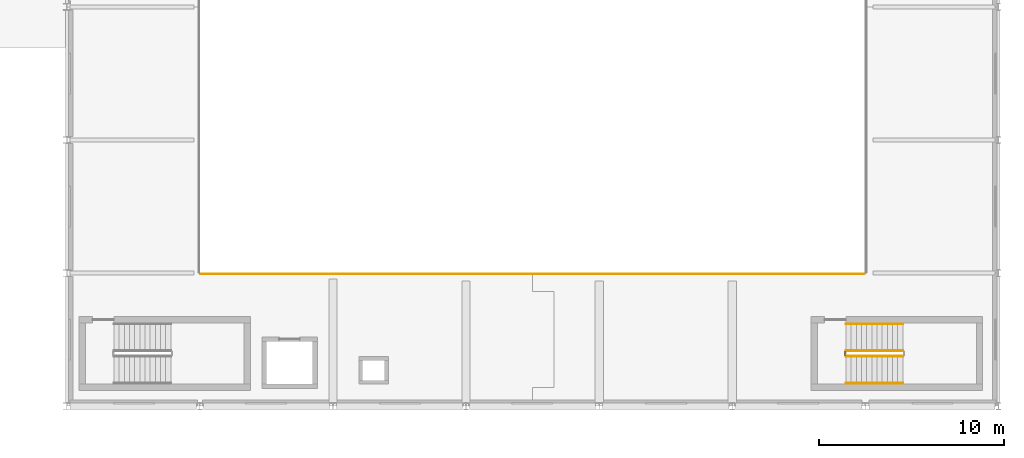
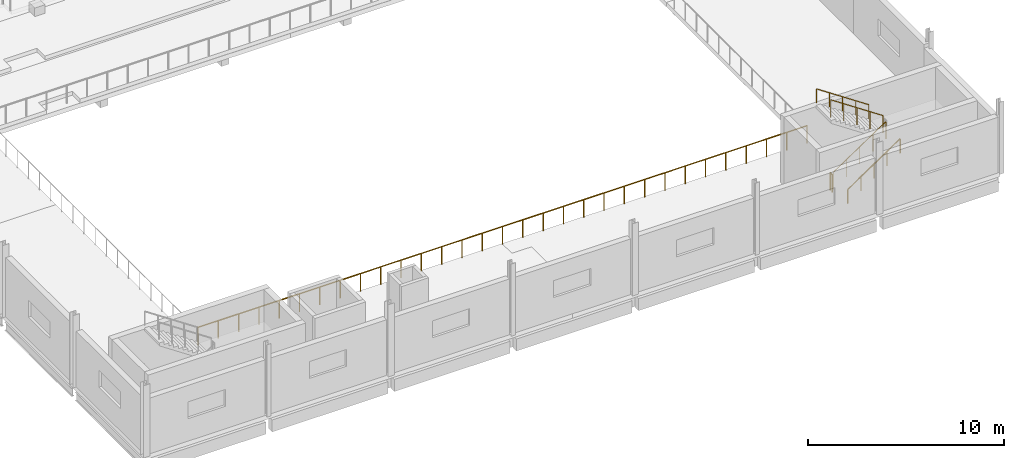
# One storey, part 119 of 123: 6 railings.
"""IFC4 building model written with IfcOpenShell, lengths in metres."""

from ifc_helpers import new_model, si_unit, direction, frame, origin, origin_2d, place, context, subcontext, project, spatial, circle, extrude, material, type_object, element, save


model = new_model("IFC4")

# Units and contexts
model_context = context("Model", 3, precision=1e-05, world=origin(), true_north=direction((0.0, 1.0)))
body_context = subcontext(model_context, "Body", "Model", "MODEL_VIEW")
ifc_project = project(units=[si_unit("LENGTHUNIT", "METRE"), si_unit("AREAUNIT", "SQUARE_METRE"), si_unit("VOLUMEUNIT", "CUBIC_METRE"), si_unit("PLANEANGLEUNIT", "RADIAN"), si_unit("MASSUNIT", "GRAM", prefix="KILO")], contexts=[model_context])

# Site, building, storey
site_placement = place(None, origin())
site = spatial("IfcSite", under=ifc_project, at=site_placement, CompositionType="ELEMENT")
building_placement = place(site_placement, origin())
building = spatial("IfcBuilding", under=site, at=building_placement, Name="Kalmorath City Hall", CompositionType="ELEMENT")
storey_placement = place(building_placement, frame((0.0, 0.0, 10.199951171875)))
storey = spatial("IfcBuildingStorey", under=building, at=storey_placement, Name="L02", CompositionType="ELEMENT", Elevation=10.199951171875)

# Railings
ifc_material_1 = material(Name="Stainless steel and laminated glass", Category="steel")
railing_type_1 = type_object("IfcRailingType", Name="Atrium and gallery crowd guardrail 1120", PredefinedType="GUARDRAIL", material=ifc_material_1)
railing_1_placement = place(storey_placement, frame((122.449951171875, 7.14990234375, 0.0)))
element("IfcRailing", 1, at=railing_1_placement, inside=storey, type_object=railing_type_1, Name="L02 indoor void guardrail #19", PredefinedType="GUARDRAIL", context=body_context, shape_type="SweptSolid", body=[
    extrude(circle(Radius=0.02392578125, at=origin_2d()), frame((0.0, 0.0, 1.09619140625), z_axis=(1.0, 0.0, 0.0), x_axis=(0.0, 1.0, 0.0)), (0.0, 0.0, 1.0), 35.900146484375),
    extrude(circle(Radius=0.02099609375, at=origin_2d()), origin(), (0.0, 0.0, 1.0), 1.072021484375),
    extrude(circle(Radius=0.02099609375, at=origin_2d()), frame((1.19677734375, 0.0, 0.0)), (0.0, 0.0, 1.0), 1.072021484375),
    extrude(circle(Radius=0.02099609375, at=origin_2d()), frame((2.393310546875, 0.0, 0.0)), (0.0, 0.0, 1.0), 1.072021484375),
    extrude(circle(Radius=0.02099609375, at=origin_2d()), frame((3.590087890625, 0.0, 0.0)), (0.0, 0.0, 1.0), 1.072021484375),
    extrude(circle(Radius=0.02099609375, at=origin_2d()), frame((4.78662109375, 0.0, 0.0)), (0.0, 0.0, 1.0), 1.072021484375),
    extrude(circle(Radius=0.02099609375, at=origin_2d()), frame((5.9833984375, 0.0, 0.0)), (0.0, 0.0, 1.0), 1.072021484375),
    extrude(circle(Radius=0.02099609375, at=origin_2d()), frame((7.179931640625, 0.0, 0.0)), (0.0, 0.0, 1.0), 1.072021484375),
    extrude(circle(Radius=0.02099609375, at=origin_2d()), frame((8.376708984375, 0.0, 0.0)), (0.0, 0.0, 1.0), 1.072021484375),
    extrude(circle(Radius=0.02099609375, at=origin_2d()), frame((9.573486328125, 0.0, 0.0)), (0.0, 0.0, 1.0), 1.072021484375),
    extrude(circle(Radius=0.02099609375, at=origin_2d()), frame((10.77001953125, 0.0, 0.0)), (0.0, 0.0, 1.0), 1.072021484375),
    extrude(circle(Radius=0.02099609375, at=origin_2d()), frame((11.966796875, 0.0, 0.0)), (0.0, 0.0, 1.0), 1.072021484375),
    extrude(circle(Radius=0.02099609375, at=origin_2d()), frame((13.163330078125, 0.0, 0.0)), (0.0, 0.0, 1.0), 1.072021484375),
    extrude(circle(Radius=0.02099609375, at=origin_2d()), frame((14.360107421875, 0.0, 0.0)), (0.0, 0.0, 1.0), 1.072021484375),
    extrude(circle(Radius=0.02099609375, at=origin_2d()), frame((15.556640625, 0.0, 0.0)), (0.0, 0.0, 1.0), 1.072021484375),
    extrude(circle(Radius=0.02099609375, at=origin_2d()), frame((16.75341796875, 0.0, 0.0)), (0.0, 0.0, 1.0), 1.072021484375),
    extrude(circle(Radius=0.02099609375, at=origin_2d()), frame((17.9501953125, 0.0, 0.0)), (0.0, 0.0, 1.0), 1.072021484375),
    extrude(circle(Radius=0.02099609375, at=origin_2d()), frame((19.146728515625, 0.0, 0.0)), (0.0, 0.0, 1.0), 1.072021484375),
    extrude(circle(Radius=0.02099609375, at=origin_2d()), frame((20.343505859375, 0.0, 0.0)), (0.0, 0.0, 1.0), 1.072021484375),
    extrude(circle(Radius=0.02099609375, at=origin_2d()), frame((21.5400390625, 0.0, 0.0)), (0.0, 0.0, 1.0), 1.072021484375),
    extrude(circle(Radius=0.02099609375, at=origin_2d()), frame((22.73681640625, 0.0, 0.0)), (0.0, 0.0, 1.0), 1.072021484375),
    extrude(circle(Radius=0.02099609375, at=origin_2d()), frame((23.933349609375, 0.0, 0.0)), (0.0, 0.0, 1.0), 1.072021484375),
    extrude(circle(Radius=0.02099609375, at=origin_2d()), frame((25.130126953125, 0.0, 0.0)), (0.0, 0.0, 1.0), 1.072021484375),
    extrude(circle(Radius=0.02099609375, at=origin_2d()), frame((26.32666015625, 0.0, 0.0)), (0.0, 0.0, 1.0), 1.072021484375),
    extrude(circle(Radius=0.02099609375, at=origin_2d()), frame((27.5234375, 0.0, 0.0)), (0.0, 0.0, 1.0), 1.072021484375),
    extrude(circle(Radius=0.02099609375, at=origin_2d()), frame((28.72021484375, 0.0, 0.0)), (0.0, 0.0, 1.0), 1.072021484375),
    extrude(circle(Radius=0.02099609375, at=origin_2d()), frame((29.916748046875, 0.0, 0.0)), (0.0, 0.0, 1.0), 1.072021484375),
    extrude(circle(Radius=0.02099609375, at=origin_2d()), frame((31.113525390625, 0.0, 0.0)), (0.0, 0.0, 1.0), 1.072021484375),
    extrude(circle(Radius=0.02099609375, at=origin_2d()), frame((32.31005859375, 0.0, 0.0)), (0.0, 0.0, 1.0), 1.072021484375),
    extrude(circle(Radius=0.02099609375, at=origin_2d()), frame((33.5068359375, 0.0, 0.0)), (0.0, 0.0, 1.0), 1.072021484375),
    extrude(circle(Radius=0.02099609375, at=origin_2d()), frame((34.703369140625, 0.0, 0.0)), (0.0, 0.0, 1.0), 1.072021484375),
    extrude(circle(Radius=0.02099609375, at=origin_2d()), frame((35.900146484375, 0.0, 0.0)), (0.0, 0.0, 1.0), 1.072021484375),
])
ifc_material_2 = material(Name="Painted steel guardrail", Category="steel")
railing_type_2 = type_object("IfcRailingType", Name="Protected stair guardrail 1100", PredefinedType="GUARDRAIL", material=ifc_material_2)
railing_2_placement = place(storey_placement, frame((157.35009765625, 2.699951171875, 0.1875)))
element("IfcRailing", 2, at=railing_2_placement, inside=storey, type_object=railing_type_2, Name="L02 ST-7 stair guard 1", PredefinedType="GUARDRAIL", context=body_context, shape_type="SweptSolid", body=[
    extrude(circle(Radius=0.02392578125, at=origin_2d()), frame((0.0, 0.0, 1.076171875), z_axis=(0.830893310487, 0.0, 0.556431762742), x_axis=(0.0, 1.0, 0.0)), (0.0, 0.0, 1.0), 3.70654296875),
    extrude(circle(Radius=0.02099609375, at=origin_2d()), origin(), (0.0, 0.0, 1.0), 1.052001953125),
    extrude(circle(Radius=0.02099609375, at=origin_2d()), frame((0.77001953125, 0.0, 0.515625)), (0.0, 0.0, 1.0), 1.052001953125),
    extrude(circle(Radius=0.02099609375, at=origin_2d()), frame((1.5400390625, 0.0, 1.03125)), (0.0, 0.0, 1.0), 1.052001953125),
    extrude(circle(Radius=0.02099609375, at=origin_2d()), frame((2.309814453125, 0.0, 1.546875)), (0.0, 0.0, 1.0), 1.052001953125),
    extrude(circle(Radius=0.02099609375, at=origin_2d()), frame((3.079833984375, 0.0, 2.0625)), (0.0, 0.0, 1.0), 1.052001953125),
])
railing_3_placement = place(storey_placement, frame((160.429931640625, 3.0, 2.4375)))
element("IfcRailing", 3, at=railing_3_placement, inside=storey, type_object=railing_type_2, Name="L02 ST-7 stair guard 3", PredefinedType="GUARDRAIL", context=body_context, shape_type="SweptSolid", body=[
    extrude(circle(Radius=0.02392578125, at=origin_2d()), frame((0.0, 0.0, 1.076171875), z_axis=(-0.830893310487, 0.0, 0.556431762742), x_axis=(0.0, -1.0, 0.0)), (0.0, 0.0, 1.0), 3.70654296875),
    extrude(circle(Radius=0.02099609375, at=origin_2d()), origin(), (0.0, 0.0, 1.0), 1.052001953125),
    extrude(circle(Radius=0.02099609375, at=origin_2d()), frame((-0.77001953125, 0.0, 0.515625)), (0.0, 0.0, 1.0), 1.052001953125),
    extrude(circle(Radius=0.02099609375, at=origin_2d()), frame((-1.5400390625, 0.0, 1.03125)), (0.0, 0.0, 1.0), 1.052001953125),
    extrude(circle(Radius=0.02099609375, at=origin_2d()), frame((-2.309814453125, 0.0, 1.546875)), (0.0, 0.0, 1.0), 1.052001953125),
    extrude(circle(Radius=0.02099609375, at=origin_2d()), frame((-3.079833984375, 0.0, 2.0625)), (0.0, 0.0, 1.0), 1.052001953125),
])
railing_4_placement = place(storey_placement, frame((157.300048828125, 2.75, 0.0)))
element("IfcRailing", 4, at=railing_4_placement, inside=storey, type_object=railing_type_2, Name="L02 ST-7 stair guard 4", PredefinedType="GUARDRAIL", context=body_context, shape_type="SweptSolid", body=[
    extrude(circle(Radius=0.02392578125, at=origin_2d()), frame((0.0, 0.0, 1.076171875), z_axis=(0.0, 1.0, 0.0), x_axis=(-1.0, 0.0, 0.0)), (0.0, 0.0, 1.0), 0.199951171875),
    extrude(circle(Radius=0.02099609375, at=origin_2d()), origin(), (0.0, 0.0, 1.0), 1.052001953125),
    extrude(circle(Radius=0.02099609375, at=origin_2d()), frame((0.0, 0.199951171875, 0.0)), (0.0, 0.0, 1.0), 1.052001953125),
])
ifc_material_3 = material(Name="Brushed stainless steel handrail", Category="steel")
railing_type_3 = type_object("IfcRailingType", Name="Stair pitch handrail 900", PredefinedType="HANDRAIL", material=ifc_material_3)
railing_5_placement = place(storey_placement, frame((157.35009765625, 1.25, 0.1875)))
element("IfcRailing", 5, at=railing_5_placement, inside=storey, type_object=railing_type_3, Name="L02 ST-7 stair handrail 1", PredefinedType="HANDRAIL", context=body_context, shape_type="SweptSolid", body=[
    extrude(circle(Radius=0.02392578125, at=origin_2d()), frame((0.0, 0.0, 0.8759765625), z_axis=(0.830893310487, 0.0, 0.556431762742), x_axis=(0.0, 1.0, 0.0)), (0.0, 0.0, 1.0), 3.70654296875),
    extrude(circle(Radius=0.02099609375, at=origin_2d()), origin(), (0.0, 0.0, 1.0), 0.851806640625),
    extrude(circle(Radius=0.02099609375, at=origin_2d()), frame((0.77001953125, 0.0, 0.515625)), (0.0, 0.0, 1.0), 0.851806640625),
    extrude(circle(Radius=0.02099609375, at=origin_2d()), frame((1.5400390625, 0.0, 1.03125)), (0.0, 0.0, 1.0), 0.851806640625),
    extrude(circle(Radius=0.02099609375, at=origin_2d()), frame((2.309814453125, 0.0, 1.546875)), (0.0, 0.0, 1.0), 0.851806640625),
    extrude(circle(Radius=0.02099609375, at=origin_2d()), frame((3.079833984375, 0.0, 2.0625)), (0.0, 0.0, 1.0), 0.851806640625),
])
railing_6_placement = place(storey_placement, frame((160.429931640625, 4.449951171875, 2.4375)))
element("IfcRailing", 6, at=railing_6_placement, inside=storey, type_object=railing_type_3, Name="L02 ST-7 stair handrail 2", PredefinedType="HANDRAIL", context=body_context, shape_type="SweptSolid", body=[
    extrude(circle(Radius=0.02392578125, at=origin_2d()), frame((0.0, 0.0, 0.8759765625), z_axis=(-0.830893310487, 0.0, 0.556431762742), x_axis=(0.0, -1.0, 0.0)), (0.0, 0.0, 1.0), 3.70654296875),
    extrude(circle(Radius=0.02099609375, at=origin_2d()), origin(), (0.0, 0.0, 1.0), 0.851806640625),
    extrude(circle(Radius=0.02099609375, at=origin_2d()), frame((-0.77001953125, 0.0, 0.515625)), (0.0, 0.0, 1.0), 0.851806640625),
    extrude(circle(Radius=0.02099609375, at=origin_2d()), frame((-1.5400390625, 0.0, 1.03125)), (0.0, 0.0, 1.0), 0.851806640625),
    extrude(circle(Radius=0.02099609375, at=origin_2d()), frame((-2.309814453125, 0.0, 1.546875)), (0.0, 0.0, 1.0), 0.851806640625),
    extrude(circle(Radius=0.02099609375, at=origin_2d()), frame((-3.079833984375, 0.0, 2.0625)), (0.0, 0.0, 1.0), 0.851806640625),
])

save(model, "model.ifc")
